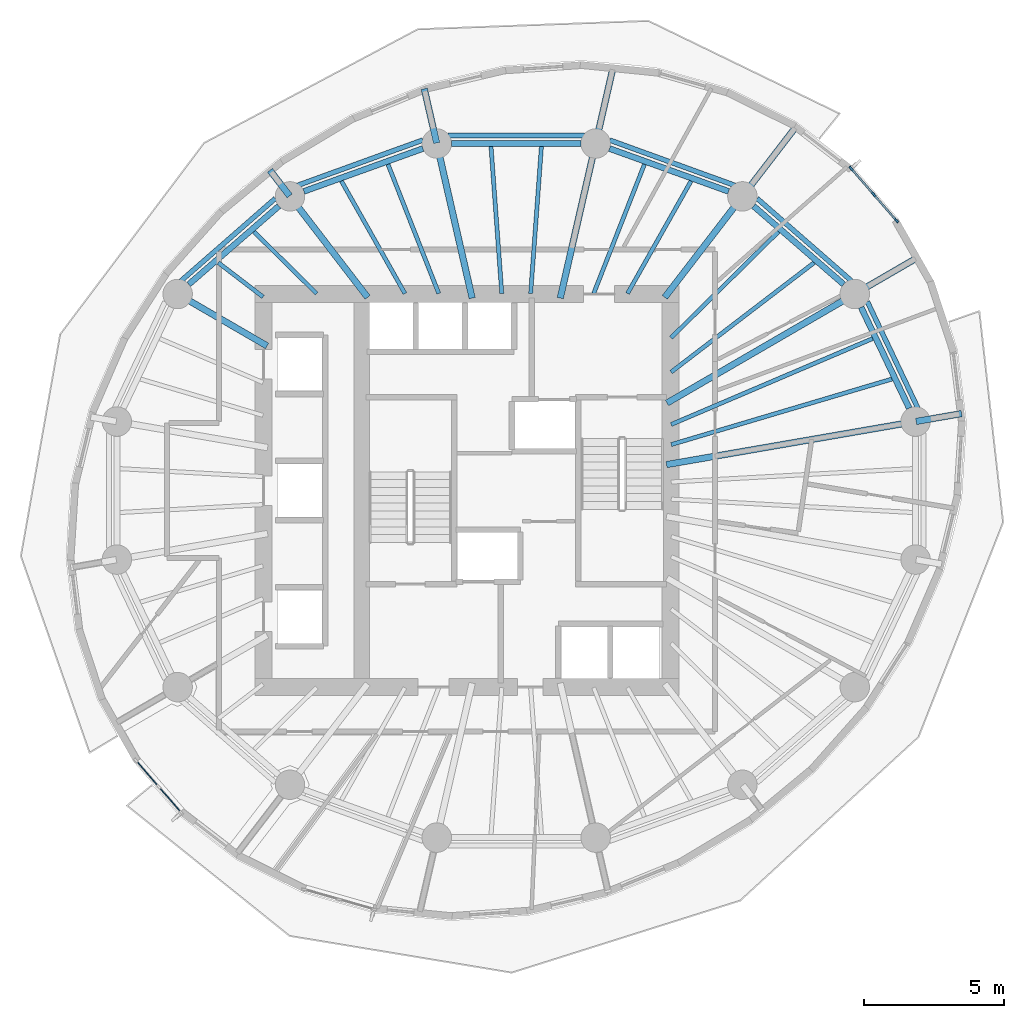
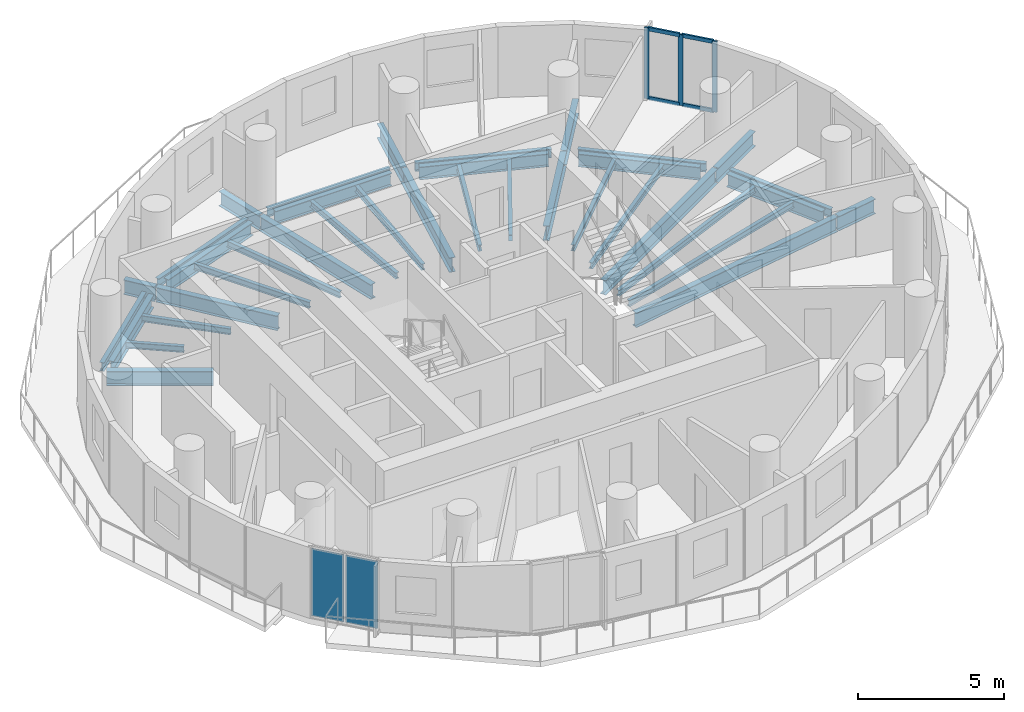
# One storey, part 3 of 12: 37 beams, 7 members, 2 plates, 2 elements without a shape of their own.
"""IFC4 building model written with IfcOpenShell, lengths in metres."""

from ifc_helpers import new_model, si_unit, direction, frame, origin, origin_2d, place, context, subcontext, project, spatial, rectangle, i_section, extrude, material, layer, layer_set, material_profile, profile_set, type_object, element, aggregate, save


model = new_model("IFC4")

# Units and contexts
model_context = context("Model", 3, precision=1e-05, world=origin(), true_north=direction((0.0, 1.0)))
body_context = subcontext(model_context, "Body", "Model", "MODEL_VIEW")
ifc_project = project(units=[si_unit("LENGTHUNIT", "METRE"), si_unit("AREAUNIT", "SQUARE_METRE"), si_unit("VOLUMEUNIT", "CUBIC_METRE"), si_unit("PLANEANGLEUNIT", "RADIAN"), si_unit("MASSUNIT", "GRAM", prefix="KILO")], contexts=[model_context])

# Site, building, storey
site_placement = place(None, origin())
site = spatial("IfcSite", under=ifc_project, at=site_placement, CompositionType="ELEMENT")
building_placement = place(site_placement, origin())
building = spatial("IfcBuilding", under=site, at=building_placement, Name="Veldorim Arch Residences", CompositionType="ELEMENT")
storey_placement = place(building_placement, frame((0.0, 0.0, 148.9599609375)))
storey = spatial("IfcBuildingStorey", under=building, at=storey_placement, Name="L44", CompositionType="ELEMENT", Elevation=148.9599609375)

# Beams
ifc_material_1 = material(Name="Steel S355", Category="steel")
ifc_material_profile_1 = material_profile(ifc_material_1, i_section(OverallWidth=0.2099609375, OverallDepth=0.53662109375, WebThickness=0.0107421875, FlangeThickness=0.017333984375, at=origin_2d()), Name="UB533x210x101")
ifc_profile_set_1 = profile_set([ifc_material_profile_1], Name="Steel S355")
beam_type_1 = type_object("IfcBeamType", Name="Structural Steel Beam UB533x210x101", PredefinedType="BEAM", material=ifc_profile_set_1)
beam_1_placement = place(storey_placement, frame((45.99560546875, 26.931884765625, -0.50830078125), z_axis=(-0.43028577851, 0.902692721147, 0.0), x_axis=(-0.902692721147, -0.43028577851, 0.0)))
element("IfcBeam", 1, at=beam_1_placement, inside=storey, type_object=beam_type_1, Name="L44 perimeter ring tie beam 01", PredefinedType="BEAM", context=body_context, shape_type="SweptSolid", body=[
    extrude(i_section(OverallWidth=0.2099609375, OverallDepth=0.53662109375, WebThickness=0.0107421875, FlangeThickness=0.017333984375, at=origin_2d()), origin(), (0.0, 0.0, 1.0), 3.98193359375),
])
beam_2_placement = place(storey_placement, frame((43.659912109375, 31.344482421875, -0.50830078125), z_axis=(-0.754810789581, 0.655942582802, 0.0), x_axis=(-0.655942582802, -0.754810789581, 0.0)))
element("IfcBeam", 2, at=beam_2_placement, inside=storey, type_object=beam_type_1, Name="L44 perimeter ring tie beam 02", PredefinedType="BEAM", context=body_context, shape_type="SweptSolid", body=[
    extrude(i_section(OverallWidth=0.2099609375, OverallDepth=0.53662109375, WebThickness=0.0107421875, FlangeThickness=0.017333984375, at=origin_2d()), origin(), (0.0, 0.0, 1.0), 4.249755859375),
])
beam_3_placement = place(storey_placement, frame((39.561767578125, 34.654296875, -0.50830078125), z_axis=(-0.940899155006, 0.338686846673, 0.0), x_axis=(-0.338686846673, -0.940899155006, 0.0)))
element("IfcBeam", 3, at=beam_3_placement, inside=storey, type_object=beam_type_1, Name="L44 perimeter ring tie beam 03", PredefinedType="BEAM", context=body_context, shape_type="SweptSolid", body=[
    extrude(i_section(OverallWidth=0.2099609375, OverallDepth=0.53662109375, WebThickness=0.0107421875, FlangeThickness=0.017333984375, at=origin_2d()), origin(), (0.0, 0.0, 1.0), 4.50537109375),
])
beam_4_placement = place(storey_placement, frame((34.3037109375, 36.35791015625, -0.50830078125), z_axis=(-1.0, 0.0, 0.0), x_axis=(0.0, -1.0, 0.0)))
element("IfcBeam", 4, at=beam_4_placement, inside=storey, type_object=beam_type_1, Name="L44 perimeter ring tie beam 04", PredefinedType="BEAM", context=body_context, shape_type="SweptSolid", body=[
    extrude(i_section(OverallWidth=0.2099609375, OverallDepth=0.53662109375, WebThickness=0.0107421875, FlangeThickness=0.017333984375, at=origin_2d()), origin(), (0.0, 0.0, 1.0), 4.607421875),
])
beam_5_placement = place(storey_placement, frame((28.67724609375, 36.18017578125, -0.50830078125), z_axis=(-0.940899155006, -0.338686846673, 0.0), x_axis=(0.338686846673, -0.940899155006, 0.0)))
element("IfcBeam", 5, at=beam_5_placement, inside=storey, type_object=beam_type_1, Name="L44 perimeter ring tie beam 05", PredefinedType="BEAM", context=body_context, shape_type="SweptSolid", body=[
    extrude(i_section(OverallWidth=0.2099609375, OverallDepth=0.53662109375, WebThickness=0.0107421875, FlangeThickness=0.017333984375, at=origin_2d()), origin(), (0.0, 0.0, 1.0), 4.50537109375),
])
beam_6_placement = place(storey_placement, frame((23.5478515625, 34.132080078125, -0.50830078125), z_axis=(-0.754810789581, -0.655942582802, 0.0), x_axis=(0.655942582802, -0.754810789581, 0.0)))
element("IfcBeam", 6, at=beam_6_placement, inside=storey, type_object=beam_type_1, Name="L44 perimeter ring tie beam 06", PredefinedType="BEAM", context=body_context, shape_type="SweptSolid", body=[
    extrude(i_section(OverallWidth=0.2099609375, OverallDepth=0.53662109375, WebThickness=0.0107421875, FlangeThickness=0.017333984375, at=origin_2d()), origin(), (0.0, 0.0, 1.0), 4.249755859375),
])
ifc_material_2 = material(Name="Steel S355", Category="steel")
ifc_material_profile_2 = material_profile(ifc_material_2, i_section(OverallWidth=0.22900390625, OverallDepth=0.6123046875, WebThickness=0.011962890625, FlangeThickness=0.01953125, at=origin_2d()), Name="UB610x229x125")
ifc_profile_set_2 = profile_set([ifc_material_profile_2], Name="Steel S355")
beam_type_2 = type_object("IfcBeamType", Name="Structural Steel Beam UB610x229x125", PredefinedType="BEAM", material=ifc_profile_set_2)
beam_7_placement = place(storey_placement, frame((37.352294921875, 24.925048828125, -0.546142578125), z_axis=(0.985389398766, 0.170316566427, 0.0), x_axis=(-0.170316566427, 0.985389398766, 0.0)))
element("IfcBeam", 7, at=beam_7_placement, inside=storey, type_object=beam_type_2, Name="L44 radial floor girder 01", PredefinedType="BEAM", context=body_context, shape_type="SweptSolid", body=[
    extrude(i_section(OverallWidth=0.22900390625, OverallDepth=0.6123046875, WebThickness=0.011962890625, FlangeThickness=0.01953125, at=origin_2d()), origin(), (0.0, 0.0, 1.0), 8.98046875),
])
beam_8_placement = place(storey_placement, frame((46.2412109375, 26.46142578125, -0.546142578125), z_axis=(0.985387945346, 0.170324975168, 0.0), x_axis=(-0.170324975168, 0.985387945346, 0.0)))
element("IfcBeam", 8, at=beam_8_placement, inside=storey, type_object=beam_type_2, Name="L44 radial edge cantilever girder 01", PredefinedType="BEAM", context=body_context, shape_type="SweptSolid", body=[
    extrude(i_section(OverallWidth=0.22900390625, OverallDepth=0.6123046875, WebThickness=0.011962890625, FlangeThickness=0.01953125, at=origin_2d()), origin(), (0.0, 0.0, 1.0), 1.642578125),
])
beam_9_placement = place(storey_placement, frame((37.370361328125, 27.1181640625, -0.546142578125), z_axis=(0.864793381443, 0.502127879542, 0.0), x_axis=(-0.502127879542, 0.864793381443, 0.0)))
element("IfcBeam", 9, at=beam_9_placement, inside=storey, type_object=beam_type_2, Name="L44 radial floor girder 02", PredefinedType="BEAM", context=body_context, shape_type="SweptSolid", body=[
    extrude(i_section(OverallWidth=0.22900390625, OverallDepth=0.6123046875, WebThickness=0.011962890625, FlangeThickness=0.01953125, at=origin_2d()), origin(), (0.0, 0.0, 1.0), 7.71142578125),
])
beam_10_placement = place(storey_placement, frame((44.073486328125, 31.01025390625, -0.546142578125), z_axis=(0.864771551205, 0.502165474946, 0.0), x_axis=(-0.502165474946, 0.864771551205, 0.0)))
element("IfcBeam", 10, at=beam_10_placement, inside=storey, type_object=beam_type_2, Name="L44 radial edge cantilever girder 02", PredefinedType="BEAM", context=body_context, shape_type="SweptSolid", body=[
    extrude(i_section(OverallWidth=0.22900390625, OverallDepth=0.6123046875, WebThickness=0.011962890625, FlangeThickness=0.01953125, at=origin_2d()), origin(), (0.0, 0.0, 1.0), 2.555908203125),
])
beam_11_placement = place(storey_placement, frame((37.291259765625, 30.881103515625, -0.546142578125), z_axis=(0.609559199361, 0.792740551804, 0.0), x_axis=(-0.792740551804, 0.609559199361, 0.0)))
element("IfcBeam", 11, at=beam_11_placement, inside=storey, type_object=beam_type_2, Name="L44 radial floor girder 03", PredefinedType="BEAM", context=body_context, shape_type="SweptSolid", body=[
    extrude(i_section(OverallWidth=0.22900390625, OverallDepth=0.6123046875, WebThickness=0.011962890625, FlangeThickness=0.01953125, at=origin_2d()), origin(), (0.0, 0.0, 1.0), 4.515380859375),
])
beam_12_placement = place(storey_placement, frame((40.068115234375, 34.492431640625, -0.546142578125), z_axis=(0.60954833207, 0.792748907833, 0.0), x_axis=(-0.792748907833, 0.60954833207, 0.0)))
element("IfcBeam", 12, at=beam_12_placement, inside=storey, type_object=beam_type_2, Name="L44 radial edge cantilever girder 03", PredefinedType="BEAM", context=body_context, shape_type="SweptSolid", body=[
    extrude(i_section(OverallWidth=0.22900390625, OverallDepth=0.6123046875, WebThickness=0.011962890625, FlangeThickness=0.01953125, at=origin_2d()), origin(), (0.0, 0.0, 1.0), 3.123779296875),
])
beam_13_placement = place(storey_placement, frame((33.56884765625, 30.853759765625, -0.546142578125), z_axis=(0.223119342184, 0.974791136164, 0.0), x_axis=(-0.974791136164, 0.223119342184, 0.0)))
element("IfcBeam", 13, at=beam_13_placement, inside=storey, type_object=beam_type_2, Name="L44 radial floor girder 04", PredefinedType="BEAM", context=body_context, shape_type="SweptSolid", body=[
    extrude(i_section(OverallWidth=0.22900390625, OverallDepth=0.6123046875, WebThickness=0.011962890625, FlangeThickness=0.01953125, at=origin_2d()), origin(), (0.0, 0.0, 1.0), 5.62646484375),
])
beam_14_placement = place(storey_placement, frame((34.833251953125, 36.37744140625, -0.546142578125), z_axis=(0.223160890879, 0.974781625177, 0.0), x_axis=(-0.974781625177, 0.223160890879, 0.0)))
element("IfcBeam", 14, at=beam_14_placement, inside=storey, type_object=beam_type_2, Name="L44 radial edge cantilever girder 04", PredefinedType="BEAM", context=body_context, shape_type="SweptSolid", body=[
    extrude(i_section(OverallWidth=0.22900390625, OverallDepth=0.6123046875, WebThickness=0.011962890625, FlangeThickness=0.01953125, at=origin_2d()), origin(), (0.0, 0.0, 1.0), 2.76123046875),
])
beam_15_placement = place(storey_placement, frame((30.43115234375, 30.853759765625, -0.546142578125), z_axis=(-0.223119342184, 0.974791136164, 0.0), x_axis=(-0.974791136164, -0.223119342184, 0.0)))
element("IfcBeam", 15, at=beam_15_placement, inside=storey, type_object=beam_type_2, Name="L44 radial floor girder 05", PredefinedType="BEAM", context=body_context, shape_type="SweptSolid", body=[
    extrude(i_section(OverallWidth=0.22900390625, OverallDepth=0.6123046875, WebThickness=0.011962890625, FlangeThickness=0.01953125, at=origin_2d()), origin(), (0.0, 0.0, 1.0), 5.62646484375),
])
beam_16_placement = place(storey_placement, frame((29.166748046875, 36.37744140625, -0.546142578125), z_axis=(-0.223166267833, 0.974780394192, 0.0), x_axis=(-0.974780394192, -0.223166267833, 0.0)))
element("IfcBeam", 16, at=beam_16_placement, inside=storey, type_object=beam_type_2, Name="L44 radial edge cantilever girder 05", PredefinedType="BEAM", context=body_context, shape_type="SweptSolid", body=[
    extrude(i_section(OverallWidth=0.22900390625, OverallDepth=0.6123046875, WebThickness=0.011962890625, FlangeThickness=0.01953125, at=origin_2d()), origin(), (0.0, 0.0, 1.0), 1.980224609375),
])
beam_17_placement = place(storey_placement, frame((26.708740234375, 30.881103515625, -0.546142578125), z_axis=(-0.609559199361, 0.792740551804, 0.0), x_axis=(-0.792740551804, -0.609559199361, 0.0)))
element("IfcBeam", 17, at=beam_17_placement, inside=storey, type_object=beam_type_2, Name="L44 radial floor girder 06", PredefinedType="BEAM", context=body_context, shape_type="SweptSolid", body=[
    extrude(i_section(OverallWidth=0.22900390625, OverallDepth=0.6123046875, WebThickness=0.011962890625, FlangeThickness=0.01953125, at=origin_2d()), origin(), (0.0, 0.0, 1.0), 4.515380859375),
])
beam_18_placement = place(storey_placement, frame((23.931884765625, 34.492431640625, -0.546142578125), z_axis=(-0.609587834317, 0.792718532805, 0.0), x_axis=(-0.792718532805, -0.609587834317, 0.0)))
element("IfcBeam", 18, at=beam_18_placement, inside=storey, type_object=beam_type_2, Name="L44 radial edge cantilever girder 06", PredefinedType="BEAM", context=body_context, shape_type="SweptSolid", body=[
    extrude(i_section(OverallWidth=0.22900390625, OverallDepth=0.6123046875, WebThickness=0.011962890625, FlangeThickness=0.01953125, at=origin_2d()), origin(), (0.0, 0.0, 1.0), 1.15185546875),
])
beam_19_placement = place(storey_placement, frame((23.129638671875, 29.150390625, -0.546142578125), z_axis=(-0.864794546612, 0.502125872815, 0.0), x_axis=(-0.502125872815, -0.864794546612, 0.0)))
element("IfcBeam", 19, at=beam_19_placement, inside=storey, type_object=beam_type_2, Name="L44 radial floor girder 07", PredefinedType="BEAM", context=body_context, shape_type="SweptSolid", body=[
    extrude(i_section(OverallWidth=0.22900390625, OverallDepth=0.6123046875, WebThickness=0.011962890625, FlangeThickness=0.01953125, at=origin_2d()), origin(), (0.0, 0.0, 1.0), 3.6640625),
])
ifc_material_3 = material(Name="Steel S355", Category="steel")
ifc_material_profile_3 = material_profile(ifc_material_3, i_section(OverallWidth=0.146484375, OverallDepth=0.256103515625, WebThickness=0.00634765625, FlangeThickness=0.010986328125, at=origin_2d()), Name="UB254x146x37")
ifc_profile_set_3 = profile_set([ifc_material_profile_3], Name="Steel S355")
beam_type_3 = type_object("IfcBeamType", Name="Structural Steel Joist UB254x146x37", PredefinedType="JOIST", material=ifc_profile_set_3)
beam_20_placement = place(storey_placement, frame((37.519287109375, 25.63818359375, -0.367919921875), z_axis=(0.958674276305, 0.284505943614, 0.0), x_axis=(-0.284505943614, 0.958674276305, 0.0)))
element("IfcBeam", 20, at=beam_20_placement, inside=storey, type_object=beam_type_3, Name="L44 secondary radial floor joist 01-1", PredefinedType="JOIST", context=body_context, shape_type="SweptSolid", body=[
    extrude(i_section(OverallWidth=0.146484375, OverallDepth=0.256103515625, WebThickness=0.00634765625, FlangeThickness=0.010986328125, at=origin_2d()), origin(), (0.0, 0.0, 1.0), 8.2001953125),
])
beam_21_placement = place(storey_placement, frame((37.518310546875, 26.353515625, -0.367919921875), z_axis=(0.919831795434, 0.39231297214, 0.0), x_axis=(-0.39231297214, 0.919831795434, 0.0)))
element("IfcBeam", 21, at=beam_21_placement, inside=storey, type_object=beam_type_3, Name="L44 secondary radial floor joist 01-2", PredefinedType="JOIST", context=body_context, shape_type="SweptSolid", body=[
    extrude(i_section(OverallWidth=0.146484375, OverallDepth=0.256103515625, WebThickness=0.00634765625, FlangeThickness=0.010986328125, at=origin_2d()), origin(), (0.0, 0.0, 1.0), 7.798828125),
])
beam_22_placement = place(storey_placement, frame((37.515869140625, 28.219482421875, -0.367919921875), z_axis=(0.794267053144, 0.607568801281, 0.0), x_axis=(-0.607568801281, 0.794267053144, 0.0)))
element("IfcBeam", 22, at=beam_22_placement, inside=storey, type_object=beam_type_3, Name="L44 secondary radial floor joist 02-1", PredefinedType="JOIST", context=body_context, shape_type="SweptSolid", body=[
    extrude(i_section(OverallWidth=0.146484375, OverallDepth=0.256103515625, WebThickness=0.00634765625, FlangeThickness=0.010986328125, at=origin_2d()), origin(), (0.0, 0.0, 1.0), 6.412841796875),
])
beam_23_placement = place(storey_placement, frame((37.51416015625, 29.443115234375, -0.367919921875), z_axis=(0.711703457158, 0.702480027523, 0.0), x_axis=(-0.702480027523, 0.711703457158, 0.0)))
element("IfcBeam", 23, at=beam_23_placement, inside=storey, type_object=beam_type_3, Name="L44 secondary radial floor joist 02-2", PredefinedType="JOIST", context=body_context, shape_type="SweptSolid", body=[
    extrude(i_section(OverallWidth=0.146484375, OverallDepth=0.256103515625, WebThickness=0.00634765625, FlangeThickness=0.010986328125, at=origin_2d()), origin(), (0.0, 0.0, 1.0), 5.373291015625),
])
beam_24_placement = place(storey_placement, frame((35.96337890625, 31.017333984375, -0.367919921875), z_axis=(0.491815801586, 0.870699269157, 0.0), x_axis=(-0.870699269157, 0.491815801586, 0.0)))
element("IfcBeam", 24, at=beam_24_placement, inside=storey, type_object=beam_type_3, Name="L44 secondary radial floor joist 03-1", PredefinedType="JOIST", context=body_context, shape_type="SweptSolid", body=[
    extrude(i_section(OverallWidth=0.146484375, OverallDepth=0.256103515625, WebThickness=0.00634765625, FlangeThickness=0.010986328125, at=origin_2d()), origin(), (0.0, 0.0, 1.0), 4.59814453125),
])
beam_25_placement = place(storey_placement, frame((34.7587890625, 31.0185546875, -0.367919921875), z_axis=(0.365777738491, 0.930702232739, 0.0), x_axis=(-0.930702232739, 0.365777738491, 0.0)))
element("IfcBeam", 25, at=beam_25_placement, inside=storey, type_object=beam_type_3, Name="L44 secondary radial floor joist 03-2", PredefinedType="JOIST", context=body_context, shape_type="SweptSolid", body=[
    extrude(i_section(OverallWidth=0.146484375, OverallDepth=0.256103515625, WebThickness=0.00634765625, FlangeThickness=0.010986328125, at=origin_2d()), origin(), (0.0, 0.0, 1.0), 4.9404296875),
])
for number, where, z_axis, x_axis, name in (
    (26, (32.51416015625, 31.02001953125, -0.367919921875), (0.073060364166, 0.997327520521, 0.0), (-0.997327520521, 0.073060364166, 0.0), "L44 secondary radial floor joist 04-1"),
    (27, (31.48583984375, 31.02001953125, -0.367919921875), (-0.073060364166, 0.997327520521, 0.0), (-0.997327520521, -0.073060364166, 0.0), "L44 secondary radial floor joist 04-2"),
):
    element("IfcBeam", number, at=place(storey_placement, frame(where, z_axis=z_axis, x_axis=x_axis)), inside=storey, type_object=beam_type_3, Name=name, PredefinedType="JOIST", context=body_context, shape_type="SweptSolid", body=[
        extrude(i_section(OverallWidth=0.146484375, OverallDepth=0.256103515625, WebThickness=0.00634765625, FlangeThickness=0.010986328125, at=origin_2d()), origin(), (0.0, 0.0, 1.0), 5.242919921875),
    ])
beam_26_placement = place(storey_placement, frame((29.2412109375, 31.0185546875, -0.367919921875), z_axis=(-0.365777738491, 0.930702232739, 0.0), x_axis=(-0.930702232739, -0.365777738491, 0.0)))
element("IfcBeam", 28, at=beam_26_placement, inside=storey, type_object=beam_type_3, Name="L44 secondary radial floor joist 05-1", PredefinedType="JOIST", context=body_context, shape_type="SweptSolid", body=[
    extrude(i_section(OverallWidth=0.146484375, OverallDepth=0.256103515625, WebThickness=0.00634765625, FlangeThickness=0.010986328125, at=origin_2d()), origin(), (0.0, 0.0, 1.0), 4.9404296875),
])
beam_27_placement = place(storey_placement, frame((28.03662109375, 31.017333984375, -0.367919921875), z_axis=(-0.491815801586, 0.870699269157, 0.0), x_axis=(-0.870699269157, -0.491815801586, 0.0)))
element("IfcBeam", 29, at=beam_27_placement, inside=storey, type_object=beam_type_3, Name="L44 secondary radial floor joist 05-2", PredefinedType="JOIST", context=body_context, shape_type="SweptSolid", body=[
    extrude(i_section(OverallWidth=0.146484375, OverallDepth=0.256103515625, WebThickness=0.00634765625, FlangeThickness=0.010986328125, at=origin_2d()), origin(), (0.0, 0.0, 1.0), 4.59814453125),
])
beam_28_placement = place(storey_placement, frame((24.894287109375, 31.013916015625, -0.367919921875), z_axis=(-0.711683379532, 0.702500368183, 0.0), x_axis=(-0.702500368183, -0.711683379532, 0.0)))
element("IfcBeam", 30, at=beam_28_placement, inside=storey, type_object=beam_type_3, Name="L44 secondary radial floor joist 06-1", PredefinedType="JOIST", context=body_context, shape_type="SweptSolid", body=[
    extrude(i_section(OverallWidth=0.146484375, OverallDepth=0.256103515625, WebThickness=0.00634765625, FlangeThickness=0.010986328125, at=origin_2d()), origin(), (0.0, 0.0, 1.0), 3.13720703125),
])
beam_29_placement = place(storey_placement, frame((22.984130859375, 30.89697265625, -0.367919921875), z_axis=(-0.794312925337, 0.607508828448, 0.0), x_axis=(-0.607508828448, -0.794312925337, 0.0)))
element("IfcBeam", 31, at=beam_29_placement, inside=storey, type_object=beam_type_3, Name="L44 secondary radial floor joist 06-2", PredefinedType="JOIST", context=body_context, shape_type="SweptSolid", body=[
    extrude(i_section(OverallWidth=0.146484375, OverallDepth=0.256103515625, WebThickness=0.00634765625, FlangeThickness=0.010986328125, at=origin_2d()), origin(), (0.0, 0.0, 1.0), 2.006103515625),
])
ifc_material_4 = material(Name="Steel S355", Category="steel")
ifc_material_profile_4 = material_profile(ifc_material_4, i_section(OverallWidth=0.172119140625, OverallDepth=0.35791015625, WebThickness=0.008056640625, FlangeThickness=0.012939453125, at=origin_2d()), Name="UB356x171x57")
ifc_profile_set_4 = profile_set([ifc_material_profile_4], Name="Steel S355")
beam_type_4 = type_object("IfcBeamType", Name="Structural Steel Spandrel UB356x171x57", PredefinedType="SPANDREL", material=ifc_profile_set_4)
beam_30_placement = place(storey_placement, frame((46.307861328125, 26.9248046875, -0.43896484375), z_axis=(-0.428579957662, 0.903503857153, 0.0), x_axis=(-0.903503857153, -0.428579957662, 0.0)))
element("IfcBeam", 32, at=beam_30_placement, inside=storey, type_object=beam_type_4, Name="L44 perimeter chord spandrel beam 01", PredefinedType="SPANDREL", context=body_context, shape_type="SweptSolid", body=[
    extrude(i_section(OverallWidth=0.172119140625, OverallDepth=0.35791015625, WebThickness=0.008056640625, FlangeThickness=0.012939453125, at=origin_2d()), origin(), (0.0, 0.0, 1.0), 4.209228515625),
])
beam_31_placement = place(storey_placement, frame((43.9580078125, 31.44921875, -0.43896484375), z_axis=(-0.753014748982, 0.658003638148, 0.0), x_axis=(-0.658003638148, -0.753014748982, 0.0)))
element("IfcBeam", 33, at=beam_31_placement, inside=storey, type_object=beam_type_4, Name="L44 perimeter chord spandrel beam 02", PredefinedType="SPANDREL", context=body_context, shape_type="SweptSolid", body=[
    extrude(i_section(OverallWidth=0.172119140625, OverallDepth=0.35791015625, WebThickness=0.008056640625, FlangeThickness=0.012939453125, at=origin_2d()), origin(), (0.0, 0.0, 1.0), 4.486572265625),
])
beam_32_placement = place(storey_placement, frame((39.79736328125, 34.86279296875, -0.43896484375), z_axis=(-0.940212553113, 0.340588248429, 0.0), x_axis=(-0.340588248429, -0.940212553113, 0.0)))
element("IfcBeam", 34, at=beam_32_placement, inside=storey, type_object=beam_type_4, Name="L44 perimeter chord spandrel beam 03", PredefinedType="SPANDREL", context=body_context, shape_type="SweptSolid", body=[
    extrude(i_section(OverallWidth=0.172119140625, OverallDepth=0.35791015625, WebThickness=0.008056640625, FlangeThickness=0.012939453125, at=origin_2d()), origin(), (0.0, 0.0, 1.0), 4.75390625),
])
beam_33_placement = place(storey_placement, frame((34.43115234375, 36.639404296875, -0.43896484375), z_axis=(-1.0, 0.0, 0.0), x_axis=(0.0, -1.0, 0.0)))
element("IfcBeam", 35, at=beam_33_placement, inside=storey, type_object=beam_type_4, Name="L44 perimeter chord spandrel beam 04", PredefinedType="SPANDREL", context=body_context, shape_type="SweptSolid", body=[
    extrude(i_section(OverallWidth=0.172119140625, OverallDepth=0.35791015625, WebThickness=0.008056640625, FlangeThickness=0.012939453125, at=origin_2d()), origin(), (0.0, 0.0, 1.0), 4.8623046875),
])
beam_34_placement = place(storey_placement, frame((28.67236328125, 36.48193359375, -0.43896484375), z_axis=(-0.940212553113, -0.340588248429, 0.0), x_axis=(0.340588248429, -0.940212553113, 0.0)))
element("IfcBeam", 36, at=beam_34_placement, inside=storey, type_object=beam_type_4, Name="L44 perimeter chord spandrel beam 05", PredefinedType="SPANDREL", context=body_context, shape_type="SweptSolid", body=[
    extrude(i_section(OverallWidth=0.172119140625, OverallDepth=0.35791015625, WebThickness=0.008056640625, FlangeThickness=0.012939453125, at=origin_2d()), origin(), (0.0, 0.0, 1.0), 4.75390625),
])
beam_35_placement = place(storey_placement, frame((23.42041015625, 34.4013671875, -0.43896484375), z_axis=(-0.753014748982, -0.658003638148, 0.0), x_axis=(0.658003638148, -0.753014748982, 0.0)))
element("IfcBeam", 37, at=beam_35_placement, inside=storey, type_object=beam_type_4, Name="L44 perimeter chord spandrel beam 06", PredefinedType="SPANDREL", context=body_context, shape_type="SweptSolid", body=[
    extrude(i_section(OverallWidth=0.172119140625, OverallDepth=0.35791015625, WebThickness=0.008056640625, FlangeThickness=0.012939453125, at=origin_2d()), origin(), (0.0, 0.0, 1.0), 4.486572265625),
])

# Curtain wall, members
ifc_material_5 = material(Name="Aluminium", Category="aluminium")
curtain_wall_type = type_object("IfcCurtainWallType", Name="Zone 3 High-Wind Unitised Curtain Wall", PredefinedType="NOTDEFINED", material=ifc_material_5)
curtain_wall_1_placement = place(storey_placement, origin())
curtain_wall_1 = element("IfcCurtainWall", 38, at=curtain_wall_1_placement, inside=storey, type_object=curtain_wall_type, Name="L44 unitised curtain wall bay 01", PredefinedType="NOTDEFINED")
ifc_material_6 = material(Name="Aluminium", Category="aluminium")
ifc_material_profile_5 = material_profile(ifc_material_6, rectangle(XDim=0.070068359375, YDim=0.179931640625, at=origin_2d()), Name="ALU_MUL_70x180")
ifc_profile_set_5 = profile_set([ifc_material_profile_5], Name="Aluminium")
member_type_1 = type_object("IfcMemberType", Name="Zone 3 High-Wind Unitised Curtain Wall Mullion 70x180", PredefinedType="MULLION", material=ifc_profile_set_5)
member_1_placement = place(storey_placement, frame((43.924560546875, 35.4716796875, 0.0), z_axis=(0.0, 0.0, 1.0), x_axis=(0.754399890607, 0.65641511641, 0.0)))
member_1 = element("IfcMember", 39, at=member_1_placement, type_object=member_type_1, Name="CW-Z3 mullion 1", PredefinedType="MULLION", context=body_context, shape_type="SweptSolid", body=[
    extrude(rectangle(XDim=0.070068359375, YDim=0.179931640625, at=origin_2d()), origin(), (0.0, 0.0, 1.0), 2.9599609375),
])
member_2_placement = place(storey_placement, frame((44.7333984375, 34.542236328125, 0.0), z_axis=(0.0, 0.0, 1.0), x_axis=(0.754399890607, 0.65641511641, 0.0)))
member_2 = element("IfcMember", 40, at=member_2_placement, type_object=member_type_1, Name="CW-Z3 mullion 2", PredefinedType="MULLION", context=body_context, shape_type="SweptSolid", body=[
    extrude(rectangle(XDim=0.070068359375, YDim=0.179931640625, at=origin_2d()), origin(), (0.0, 0.0, 1.0), 2.9599609375),
])
member_3_placement = place(storey_placement, frame((45.5419921875, 33.61279296875, 0.0), z_axis=(0.0, 0.0, 1.0), x_axis=(0.754399890607, 0.65641511641, 0.0)))
member_3 = element("IfcMember", 41, at=member_3_placement, type_object=member_type_1, Name="CW-Z3 mullion 3", PredefinedType="MULLION", context=body_context, shape_type="SweptSolid", body=[
    extrude(rectangle(XDim=0.070068359375, YDim=0.179931640625, at=origin_2d()), origin(), (0.0, 0.0, 1.0), 2.9599609375),
])
ifc_material_7 = material(Name="Aluminium", Category="aluminium")
ifc_material_profile_6 = material_profile(ifc_material_7, rectangle(XDim=0.070068359375, YDim=0.155029296875, at=origin_2d()), Name="ALU_TRN_70x155")
ifc_profile_set_6 = profile_set([ifc_material_profile_6], Name="Aluminium")
member_type_2 = type_object("IfcMemberType", Name="Zone 3 High-Wind Unitised Curtain Wall Transom 70x155", PredefinedType="USERDEFINED", material=ifc_profile_set_6)
member_4_placement = place(storey_placement, frame((43.947509765625, 35.4453125, 0.03515625), z_axis=(0.656345148791, -0.754460764824, 0.0), x_axis=(0.754460764824, 0.656345148791, 0.0)))
member_4 = element("IfcMember", 42, at=member_4_placement, type_object=member_type_2, Name="CW-Z3 transom 1.1", ObjectType="TRANSOM", PredefinedType="USERDEFINED", context=body_context, shape_type="SweptSolid", body=[
    extrude(rectangle(XDim=0.070068359375, YDim=0.155029296875, at=origin_2d()), origin(), (0.0, 0.0, 1.0), 1.162109375),
])
member_5_placement = place(storey_placement, frame((43.947509765625, 35.4453125, 2.925048828125), z_axis=(0.656345148791, -0.754460764824, 0.0), x_axis=(0.754460764824, 0.656345148791, 0.0)))
member_5 = element("IfcMember", 43, at=member_5_placement, type_object=member_type_2, Name="CW-Z3 transom 1.2", ObjectType="TRANSOM", PredefinedType="USERDEFINED", context=body_context, shape_type="SweptSolid", body=[
    extrude(rectangle(XDim=0.070068359375, YDim=0.155029296875, at=origin_2d()), origin(), (0.0, 0.0, 1.0), 1.162109375),
])
member_6_placement = place(storey_placement, frame((44.75634765625, 34.515869140625, 0.03515625), z_axis=(0.656345148791, -0.754460764824, 0.0), x_axis=(0.754460764824, 0.656345148791, 0.0)))
member_6 = element("IfcMember", 44, at=member_6_placement, type_object=member_type_2, Name="CW-Z3 transom 2.1", ObjectType="TRANSOM", PredefinedType="USERDEFINED", context=body_context, shape_type="SweptSolid", body=[
    extrude(rectangle(XDim=0.070068359375, YDim=0.155029296875, at=origin_2d()), origin(), (0.0, 0.0, 1.0), 1.162109375),
])
member_7_placement = place(storey_placement, frame((44.75634765625, 34.515869140625, 2.925048828125), z_axis=(0.656345148791, -0.754460764824, 0.0), x_axis=(0.754460764824, 0.656345148791, 0.0)))
member_7 = element("IfcMember", 45, at=member_7_placement, type_object=member_type_2, Name="CW-Z3 transom 2.2", ObjectType="TRANSOM", PredefinedType="USERDEFINED", context=body_context, shape_type="SweptSolid", body=[
    extrude(rectangle(XDim=0.070068359375, YDim=0.155029296875, at=origin_2d()), origin(), (0.0, 0.0, 1.0), 1.162109375),
])
aggregate(curtain_wall_1, [member_1, member_2, member_3, member_4, member_5, member_6, member_7])

# Curtain wall, plates
curtain_wall_2_placement = place(storey_placement, origin())
curtain_wall_2 = element("IfcCurtainWall", 46, at=curtain_wall_2_placement, inside=storey, type_object=curtain_wall_type, Name="L44 unitised curtain wall bay 19", PredefinedType="NOTDEFINED")
ifc_material_8 = material(Name="Laminated Low-E Glass", Category="glass")
ifc_layer = layer(ifc_material_8, 0.028076171875, Name="Zone 3 High-Wind Unitised Curtain Wall Glazing Panel 28")
ifc_layer_set = layer_set([ifc_layer], Name="Laminated Low-E Glass")
plate_type = type_object("IfcPlateType", Name="Zone 3 High-Wind Unitised Curtain Wall Glazing Panel 28", PredefinedType="CURTAIN_PANEL", material=ifc_layer_set)
plate_1_placement = place(storey_placement, frame((19.671142578125, 12.992919921875, 0.06982421875), z_axis=(0.0, 0.0, 1.0), x_axis=(-0.65641511641, 0.754399890607, 0.0)))
plate_1 = element("IfcPlate", 47, at=plate_1_placement, type_object=plate_type, Name="CW-Z3 panel 1.1", PredefinedType="CURTAIN_PANEL", context=body_context, shape_type="SweptSolid", body=[
    extrude(rectangle(XDim=1.162109375, YDim=0.028076171875, at=origin_2d()), origin(), (0.0, 0.0, 1.0), 2.820068359375),
])
plate_2_placement = place(storey_placement, frame((18.8623046875, 13.92236328125, 0.06982421875), z_axis=(0.0, 0.0, 1.0), x_axis=(-0.65641511641, 0.754399890607, 0.0)))
plate_2 = element("IfcPlate", 48, at=plate_2_placement, type_object=plate_type, Name="CW-Z3 panel 2.1", PredefinedType="CURTAIN_PANEL", context=body_context, shape_type="SweptSolid", body=[
    extrude(rectangle(XDim=1.162109375, YDim=0.028076171875, at=origin_2d()), origin(), (0.0, 0.0, 1.0), 2.820068359375),
])
aggregate(curtain_wall_2, [plate_1, plate_2])

save(model, "model.ifc")
